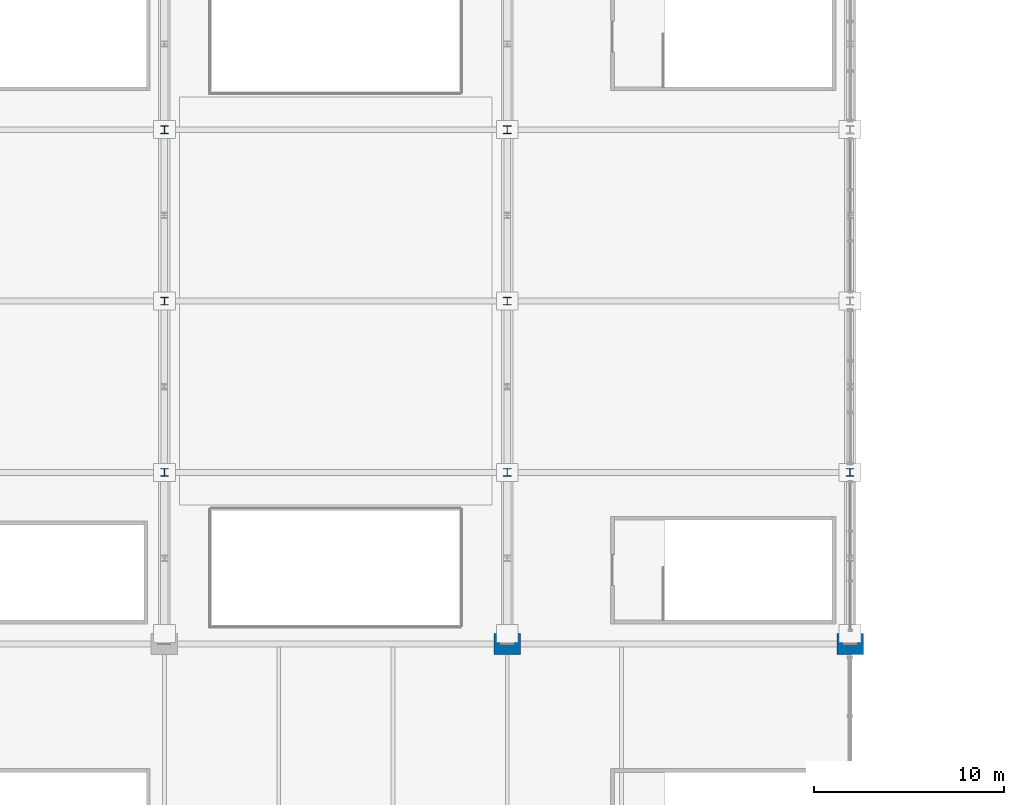
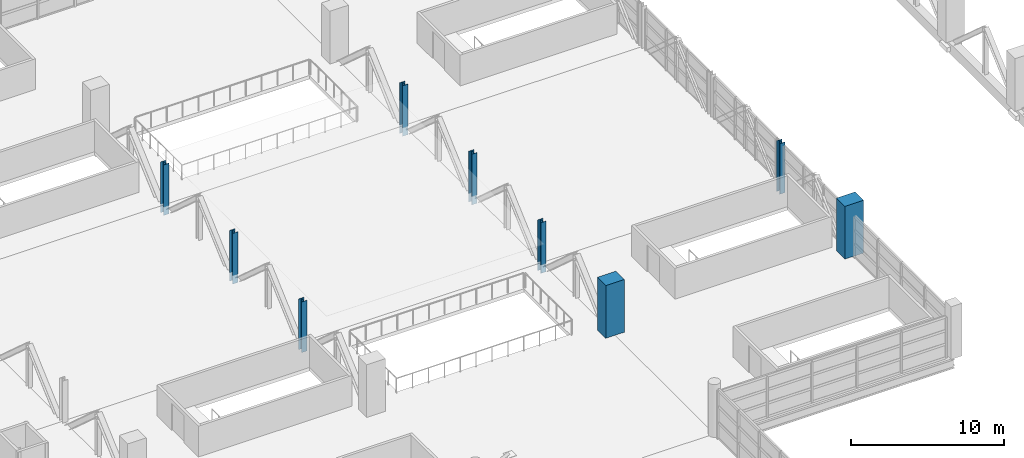
# One storey, part 5 of 136: 9 columns.
"""IFC4 building model written with IfcOpenShell, lengths in metres."""

from ifc_helpers import new_model, si_unit, direction, frame, origin, origin_2d, place, context, subcontext, project, spatial, rectangle, i_section, extrude, material, material_profile, profile_set, type_object, element, save


model = new_model("IFC4")

# Units and contexts
model_context = context("Model", 3, precision=1e-05, world=origin(), true_north=direction((0.0, 1.0)))
body_context = subcontext(model_context, "Body", "Model", "MODEL_VIEW")
ifc_project = project(units=[si_unit("LENGTHUNIT", "METRE"), si_unit("AREAUNIT", "SQUARE_METRE"), si_unit("VOLUMEUNIT", "CUBIC_METRE"), si_unit("PLANEANGLEUNIT", "RADIAN"), si_unit("MASSUNIT", "GRAM", prefix="KILO")], contexts=[model_context])

# Site, building, storey
site_placement = place(None, origin())
site = spatial("IfcSite", under=ifc_project, at=site_placement, CompositionType="ELEMENT")
building_placement = place(site_placement, origin())
building = spatial("IfcBuilding", under=site, at=building_placement, Name="Chuanluo Vaults Station", CompositionType="ELEMENT")
storey_placement = place(building_placement, frame((0.0, 0.0, 6.60009765625)))
storey = spatial("IfcBuildingStorey", under=building, at=storey_placement, Name="L01", CompositionType="ELEMENT", Elevation=6.60009765625)

# Columns
ifc_material_1 = material(Name="Concrete C50", Category="concrete")
ifc_material_profile_1 = material_profile(ifc_material_1, rectangle(XDim=1.39990234375, YDim=1.10009765625, at=origin_2d()))
ifc_profile_set_1 = profile_set([ifc_material_profile_1], Name="Concrete C50")
column_type_1 = type_object("IfcColumnType", Name="COL-SRC-1400x1100", PredefinedType="COLUMN", material=ifc_profile_set_1)
for number, where, z_axis, x_axis, name in (
    (1, (90.0, 67.5, 0.0), (0.0, 0.0, 1.0), (1.0, 0.0, 0.0), "Column L01-058"),
    (2, (108.0, 67.5, 0.0), (0.0, 0.0, 1.0), (1.0, 0.0, 0.0), "Column L01-066"),
):
    element("IfcColumn", number, at=place(storey_placement, frame(where, z_axis=z_axis, x_axis=x_axis)), inside=storey, type_object=column_type_1, Name=name, PredefinedType="COLUMN", context=body_context, shape_type="SweptSolid", body=[
        extrude(rectangle(XDim=1.39990234375, YDim=1.10009765625, at=origin_2d()), origin(), (0.0, 0.0, 1.0), 4.199951171875),
    ])
ifc_material_2 = material(Name="Steel Q355C", Category="steel")
ifc_material_profile_2 = material_profile(ifc_material_2, i_section(OverallWidth=0.39990234375, OverallDepth=0.407958984375, WebThickness=0.02099609375, FlangeThickness=0.02099609375, FilletRadius=0.02197265625, at=origin_2d()))
ifc_profile_set_2 = profile_set([ifc_material_profile_2], Name="Steel Q355C")
column_type_2 = type_object("IfcColumnType", Name="COL-STL-HW408", PredefinedType="COLUMN", material=ifc_profile_set_2)
for number, where, z_axis, x_axis, name in (
    (3, (72.0, 76.5, -0.68017578125), (0.0, 0.0, 1.0), (1.0, 0.0, 0.0), "Transfer truss TT-5 vertical column post 76"),
    (4, (72.0, 85.5, -0.68017578125), (0.0, 0.0, 1.0), (1.0, 0.0, 0.0), "Transfer truss TT-5 vertical column post 85"),
    (5, (72.0, 94.5, -0.68017578125), (0.0, 0.0, 1.0), (1.0, 0.0, 0.0), "Transfer truss TT-5 vertical column post 94"),
    (6, (90.0, 76.5, -0.68017578125), (0.0, 0.0, 1.0), (1.0, 0.0, 0.0), "Transfer truss TT-6 vertical column post 76"),
    (7, (90.0, 85.5, -0.68017578125), (0.0, 0.0, 1.0), (1.0, 0.0, 0.0), "Transfer truss TT-6 vertical column post 85"),
    (8, (90.0, 94.5, -0.68017578125), (0.0, 0.0, 1.0), (1.0, 0.0, 0.0), "Transfer truss TT-6 vertical column post 94"),
    (9, (108.0, 76.5, -0.68017578125), (0.0, 0.0, 1.0), (1.0, 0.0, 0.0), "Transfer truss TT-7 vertical column post 76"),
):
    element("IfcColumn", number, at=place(storey_placement, frame(where, z_axis=z_axis, x_axis=x_axis)), inside=storey, type_object=column_type_2, Name=name, PredefinedType="COLUMN", context=body_context, shape_type="SweptSolid", body=[
        extrude(i_section(OverallWidth=0.39990234375, OverallDepth=0.407958984375, WebThickness=0.02099609375, FlangeThickness=0.02099609375, FilletRadius=0.02197265625, at=origin_2d()), origin(), (0.0, 0.0, 1.0), 4.030029296875),
    ])

save(model, "model.ifc")
